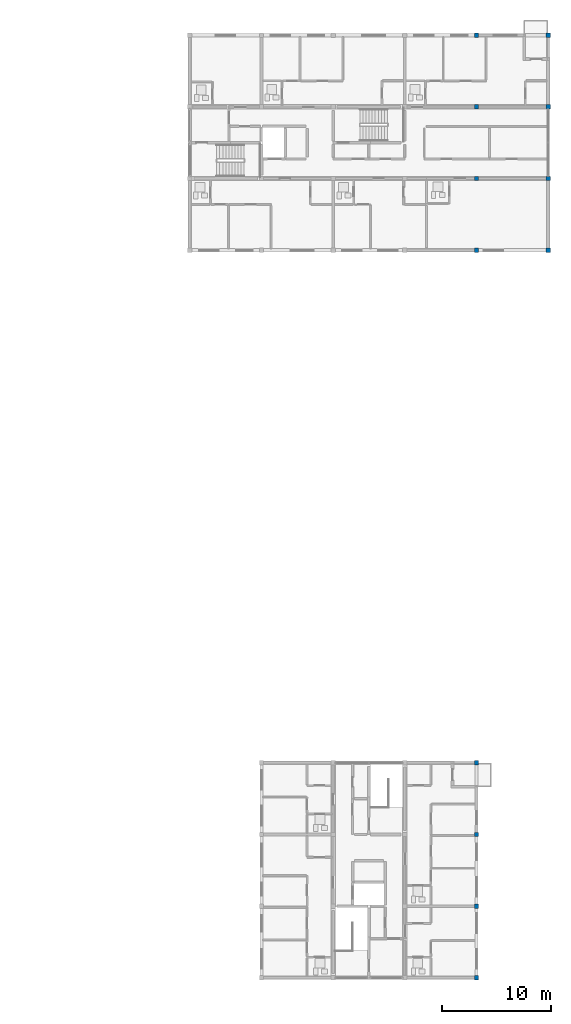
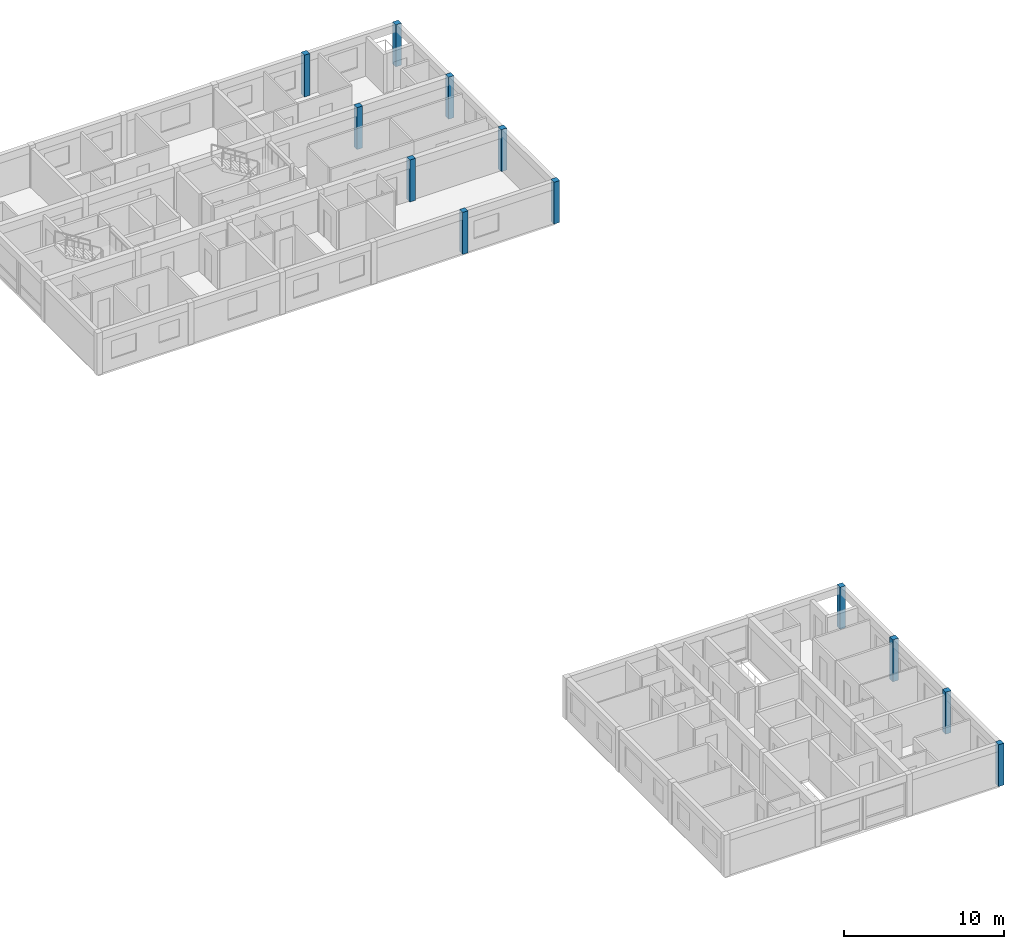
# One storey, part 3 of 34: 12 columns.
"""IFC4 building model written with IfcOpenShell, lengths in metres."""

import ifcopenshell
import ifcopenshell.guid

model = None  # the IFC model being written
_history = None  # IfcOwnerHistory: only IFC2X3 demands one
_inside = {}  # id of a spatial element -> (the spatial element, [elements in it])
_under = {}  # id of a project, library or spatial element -> (it, [spatial elements below it])
_declared = {}  # id of a project -> (the project, [libraries it declares])
_typed = {}  # id of a type object -> (the type object, [elements of that type])
_made_of = {}  # id of a material, layer set ... -> (it, [elements and type objects made of it])


def new_model(schema):
    """Start an empty IFC model of exactly this schema.

    Asked for "IFC4X3", IfcOpenShell would pick the latest addendum, in which some entities
    have other attributes; the version numbers below select the first issue.
    IFC2X3 requires an IfcOwnerHistory on every rooted entity: one is made here for all.
    """
    global model, _history
    if schema == "IFC4X3":
        model = ifcopenshell.file(schema_version=(4, 3, 0, 0))
    else:
        model = ifcopenshell.file(schema=schema)
    _inside.clear()
    _under.clear()
    _declared.clear()
    _typed.clear()
    _made_of.clear()
    _history = None
    if model.schema == "IFC2X3":
        org = make("IfcOrganization", Name="unknown")
        user = make(
            "IfcPersonAndOrganization",
            ThePerson=make("IfcPerson", FamilyName="unknown"),
            TheOrganization=org,
        )
        app = make(
            "IfcApplication",
            ApplicationDeveloper=org,
            Version="unknown",
            ApplicationFullName="unknown",
            ApplicationIdentifier="unknown",
        )
        _history = make(
            "IfcOwnerHistory",
            OwningUser=user,
            OwningApplication=app,
            ChangeAction="ADDED",
            CreationDate=0,
        )
    return model


def make(cls, **values):
    """One entity of the class cls with the attributes given. An attribute that is None is left unset."""
    return model.create_entity(
        cls, **{name: value for name, value in values.items() if value is not None}
    )


def rooted(cls, **values):
    """An entity with a GlobalId (a new one), such as an element, a storey or a relation."""
    return make(cls, GlobalId=ifcopenshell.guid.new(), OwnerHistory=_history, **values)


def si_unit(unit_type, name, prefix=None):
    """IfcSIUnit, for example si_unit("LENGTHUNIT", "METRE", prefix="MILLI")."""
    return make("IfcSIUnit", UnitType=unit_type, Prefix=prefix, Name=name)


def assignment(units):
    """IfcUnitAssignment: the units of a project."""
    return None if units is None else make("IfcUnitAssignment", Units=units)


def point(xyz):
    """IfcCartesianPoint."""
    return None if xyz is None else make("IfcCartesianPoint", Coordinates=xyz)


def direction(xyz):
    """IfcDirection."""
    return None if xyz is None else make("IfcDirection", DirectionRatios=xyz)


def frame(location, z_axis=None, x_axis=None):
    """IfcAxis2Placement3D, a coordinate frame: its origin and axes. An axis left out is left unset."""
    return make(
        "IfcAxis2Placement3D",
        Location=point(location),
        Axis=direction(z_axis),
        RefDirection=direction(x_axis),
    )


def frame_2d(location, x_axis=None):
    """IfcAxis2Placement2D, a coordinate frame in the plane: its origin and x axis."""
    return make(
        "IfcAxis2Placement2D", Location=point(location), RefDirection=direction(x_axis)
    )


def origin():
    """The frame at (0, 0, 0) with its axes left unset."""
    return frame((0.0, 0.0, 0.0))


def origin_2d():
    """The frame at (0, 0) in the plane with its x axis left unset."""
    return frame_2d((0.0, 0.0))


def place(relative_to, where):
    """IfcLocalPlacement: puts the frame where relative to a parent placement (None: the world)."""
    return make(
        "IfcLocalPlacement", PlacementRelTo=relative_to, RelativePlacement=where
    )


def context(
    kind, dimensions, precision=None, world=None, true_north=None, identifier=None
):
    """IfcGeometricRepresentationContext, for example the 3D "Model" context."""
    return make(
        "IfcGeometricRepresentationContext",
        ContextIdentifier=identifier,
        ContextType=kind,
        CoordinateSpaceDimension=dimensions,
        Precision=precision,
        WorldCoordinateSystem=world,
        TrueNorth=true_north,
    )


def subcontext(parent, identifier, kind, view, scale=None):
    """IfcGeometricRepresentationSubContext, for example "Body" below "Model"."""
    return make(
        "IfcGeometricRepresentationSubContext",
        ContextIdentifier=identifier,
        ContextType=kind,
        ParentContext=parent,
        TargetScale=scale,
        TargetView=view,
    )


def project(units=None, contexts=None):
    """IfcProject with its units and contexts."""
    return rooted(
        "IfcProject",
        Name="project",
        RepresentationContexts=contexts,
        UnitsInContext=assignment(units),
    )


def spatial(cls, under=None, at=None, **own):
    """A site, building, storey or space (cls), placed at a placement, below another one or the project."""
    s = rooted(cls, ObjectPlacement=at, **own)
    if under is not None:
        _under.setdefault(under.id(), (under, []))[1].append(s)
    return s


def profile(cls, at=None, kind="AREA", **sizes):
    """A parametric profile (cls). Its sizes go by their IFC names, for example OverallWidth=200.0."""
    return make(cls, ProfileType=kind, Position=at, **sizes)


def rectangle(**sizes):
    """IfcRectangleProfileDef."""
    return profile("IfcRectangleProfileDef", **sizes)


def extrude(swept, where, along, depth):
    """IfcExtrudedAreaSolid: the profile swept, set in the frame where, extruded along a direction by depth."""
    return make(
        "IfcExtrudedAreaSolid",
        SweptArea=swept,
        Position=where,
        ExtrudedDirection=direction(along),
        Depth=depth,
    )


def shape(context_of_items, identifier, shape_type, items):
    """IfcShapeRepresentation: the items that make up one representation, for example the "Body"."""
    return make(
        "IfcShapeRepresentation",
        ContextOfItems=context_of_items,
        RepresentationIdentifier=identifier,
        RepresentationType=shape_type,
        Items=items,
    )


def material(Name=None, Category=None):
    """IfcMaterial."""
    return make("IfcMaterial", Name=Name, Category=Category)


def material_profile(
    of_material, cross_section, Name=None, Category=None, Priority=None
):
    """IfcMaterialProfile: a cross section and its material."""
    return make(
        "IfcMaterialProfile",
        Name=Name,
        Material=of_material,
        Profile=cross_section,
        Priority=Priority,
        Category=Category,
    )


def profile_set(profiles, Name=None, composite=None):
    """IfcMaterialProfileSet."""
    return make(
        "IfcMaterialProfileSet",
        Name=Name,
        MaterialProfiles=profiles,
        CompositeProfile=composite,
    )


def made_of(thing, what):
    """Note that an element or type object is made of a material, layer set ...; save() writes the relation."""
    if what is not None:
        _made_of.setdefault(what.id(), (what, []))[1].append(thing)
    return thing


def type_object(cls, material=None, **own):
    """A type object (cls), such as IfcWallType, which elements share."""
    return made_of(rooted(cls, **own), material)


def element(
    cls,
    number,
    at=None,
    inside=None,
    cuts=None,
    type_object=None,
    material=None,
    context=None,
    identifier="Body",
    shape_type=None,
    held_by="IfcProductDefinitionShape",
    body=None,
    shapes=None,
    **own,
):
    """One element of the class cls, such as IfcWall. Its Tag is "e" and its number.

    at: its placement. inside: the storey or other place that contains it. cuts: it is an
    opening in that element (IfcRelVoidsElement). A single representation is given by context,
    identifier, shape_type and body (its items); several are given by shapes. held_by: the class
    of the entity that holds the representations. save() writes the other relations.
    """
    e = rooted(cls, Tag="e%d" % number, ObjectPlacement=at, **own)
    if body is not None:
        shapes = [shape(context, identifier, shape_type, body)]
    if shapes is not None:
        e.Representation = make(held_by, Representations=shapes)
    if inside is not None:
        _inside.setdefault(inside.id(), (inside, []))[1].append(e)
    if cuts is not None:
        rooted(
            "IfcRelVoidsElement", RelatingBuildingElement=cuts, RelatedOpeningElement=e
        )
    if type_object is not None:
        _typed.setdefault(type_object.id(), (type_object, []))[1].append(e)
    return made_of(e, material)


def aggregate(whole, parts):
    """IfcRelAggregates: a whole, such as a stair, and the parts it consists of."""
    return rooted("IfcRelAggregates", RelatingObject=whole, RelatedObjects=parts)


def save(model, path):
    """Write the relations noted so far, then the file.

    IfcRelAggregates (storeys below a building ...), IfcRelContainedInSpatialStructure (elements
    in a storey), IfcRelDefinesByType, IfcRelAssociatesMaterial and IfcRelDeclares: one each for
    every whole, place, type object, material and project.
    """
    for whole, parts in _under.values():
        aggregate(whole, parts)
    for where, things in _inside.values():
        rooted(
            "IfcRelContainedInSpatialStructure",
            RelatedElements=things,
            RelatingStructure=where,
        )
    for kind, things in _typed.values():
        rooted("IfcRelDefinesByType", RelatedObjects=things, RelatingType=kind)
    for what, things in _made_of.values():
        rooted("IfcRelAssociatesMaterial", RelatedObjects=things, RelatingMaterial=what)
    for by, libraries in _declared.values():
        rooted("IfcRelDeclares", RelatingContext=by, RelatedDefinitions=libraries)
    model.write(path)


model = new_model("IFC4")

# Units and contexts
model_context = context("Model", 3, precision=1e-05, world=origin(), true_north=direction((0.0, 1.0)))
body_context = subcontext(model_context, "Body", "Model", "MODEL_VIEW")
ifc_project = project(units=[si_unit("LENGTHUNIT", "METRE"), si_unit("AREAUNIT", "SQUARE_METRE"), si_unit("VOLUMEUNIT", "CUBIC_METRE"), si_unit("PLANEANGLEUNIT", "RADIAN"), si_unit("MASSUNIT", "GRAM", prefix="KILO")], contexts=[model_context])

# Site, building, storey
site_placement = place(None, origin())
site = spatial("IfcSite", under=ifc_project, at=site_placement, CompositionType="ELEMENT")
building_placement = place(site_placement, origin())
building = spatial("IfcBuilding", under=site, at=building_placement, Name="Kernevlak Ridge Housing Community", CompositionType="ELEMENT")
storey_placement = place(building_placement, frame((0.0, 0.0, 40.39990234375)))
storey = spatial("IfcBuildingStorey", under=building, at=storey_placement, Name="L12", CompositionType="ELEMENT", Elevation=40.39990234375)

# Columns
ifc_material = material(Name="Concrete C35/45", Category="concrete")
ifc_material_profile = material_profile(ifc_material, rectangle(XDim=0.39990234375, YDim=0.39990234375, at=origin_2d()), Name="RC 400x400")
ifc_profile_set = profile_set([ifc_material_profile], Name="Concrete C35/45")
column_type = type_object("IfcColumnType", Name="C-05", PredefinedType="COLUMN", material=ifc_profile_set)
for number, where, z_axis, x_axis, name in (
    (1, (145.800048828125, 82.60009765625, 0.0), (0.0, 0.0, 1.0), (1.0, 0.0, 0.0), "Column C-05 COL-B-L12-04-0"),
    (2, (145.800048828125, 89.199951171875, 0.0), (0.0, 0.0, 1.0), (1.0, 0.0, 0.0), "Column C-05 COL-B-L12-04-1"),
    (3, (145.800048828125, 95.800048828125, 0.0), (0.0, 0.0, 1.0), (1.0, 0.0, 0.0), "Column C-05 COL-B-L12-04-2"),
    (4, (145.800048828125, 102.39990234375, 0.0), (0.0, 0.0, 1.0), (1.0, 0.0, 0.0), "Column C-05 COL-B-L12-04-3"),
    (5, (152.39990234375, 82.60009765625, 0.0), (0.0, 0.0, 1.0), (1.0, 0.0, 0.0), "Column C-05 COL-B-L12-05-0"),
    (6, (152.39990234375, 89.199951171875, 0.0), (0.0, 0.0, 1.0), (1.0, 0.0, 0.0), "Column C-05 COL-B-L12-05-1"),
    (7, (152.39990234375, 95.800048828125, 0.0), (0.0, 0.0, 1.0), (1.0, 0.0, 0.0), "Column C-05 COL-B-L12-05-2"),
    (8, (152.39990234375, 102.39990234375, 0.0), (0.0, 0.0, 1.0), (1.0, 0.0, 0.0), "Column C-05 COL-B-L12-05-3"),
    (9, (145.800048828125, 15.60009765625, 0.0), (0.0, 0.0, 1.0), (1.0, 0.0, 0.0), "Column C-05 COL-C-L12-00-3"),
    (10, (145.800048828125, 22.199951171875, 0.0), (0.0, 0.0, 1.0), (1.0, 0.0, 0.0), "Column C-05 COL-C-L12-01-3"),
    (11, (145.800048828125, 28.800048828125, 0.0), (0.0, 0.0, 1.0), (1.0, 0.0, 0.0), "Column C-05 COL-C-L12-02-3"),
    (12, (145.800048828125, 35.39990234375, 0.0), (0.0, 0.0, 1.0), (1.0, 0.0, 0.0), "Column C-05 COL-C-L12-03-3"),
):
    element("IfcColumn", number, at=place(storey_placement, frame(where, z_axis=z_axis, x_axis=x_axis)), inside=storey, type_object=column_type, Name=name, PredefinedType="COLUMN", context=body_context, shape_type="SweptSolid", body=[
        extrude(rectangle(XDim=0.39990234375, YDim=0.39990234375, at=origin_2d()), origin(), (0.0, 0.0, 1.0), 3.2001953125),
    ])

save(model, "model.ifc")
